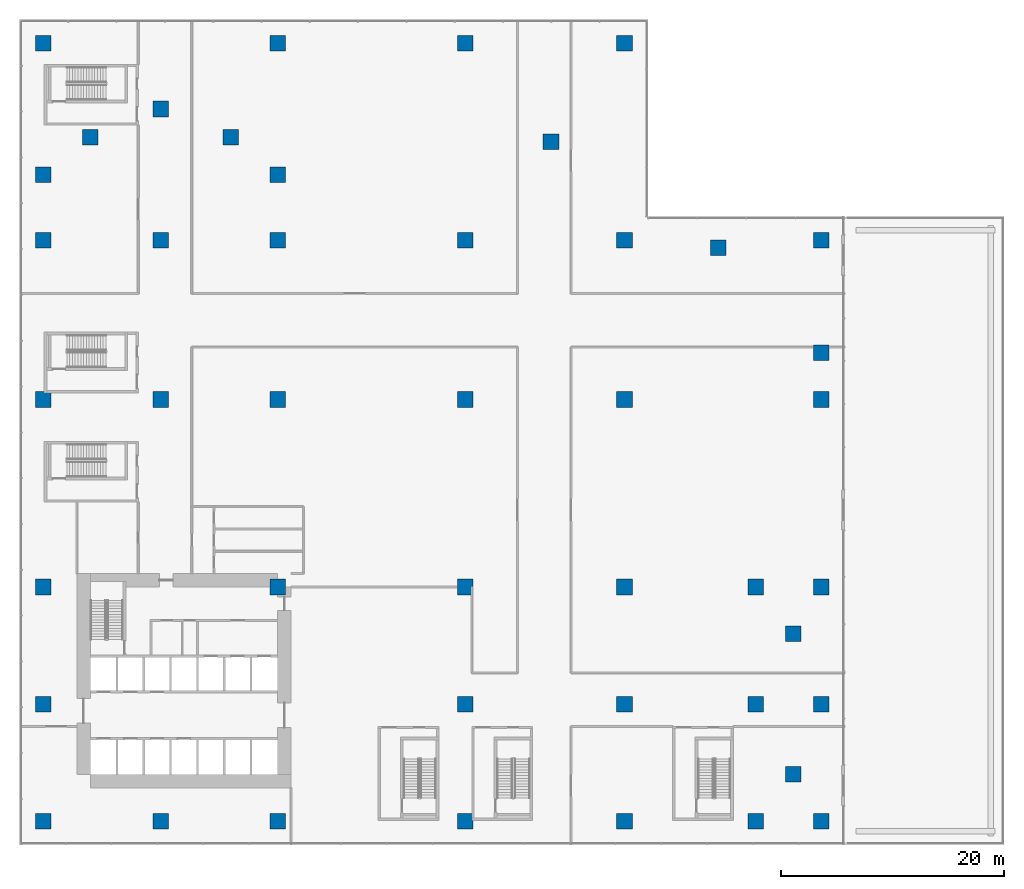
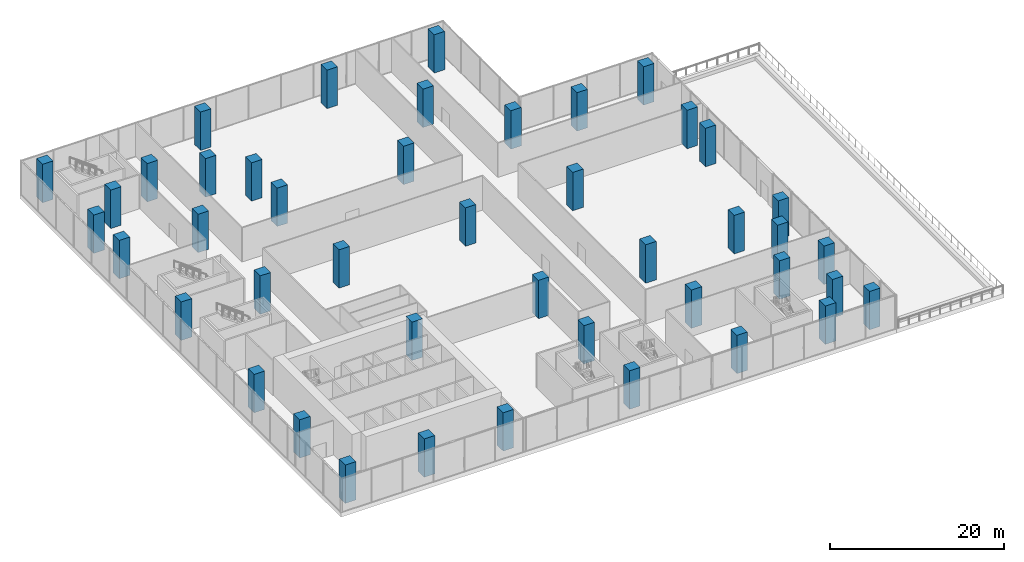
# One storey, part 1 of 23: 44 columns.
"""IFC4 building model written with IfcOpenShell, lengths in metres."""

import ifcopenshell
import ifcopenshell.guid

model = None  # the IFC model being written
_history = None  # IfcOwnerHistory: only IFC2X3 demands one
_inside = {}  # id of a spatial element -> (the spatial element, [elements in it])
_under = {}  # id of a project, library or spatial element -> (it, [spatial elements below it])
_declared = {}  # id of a project -> (the project, [libraries it declares])
_typed = {}  # id of a type object -> (the type object, [elements of that type])
_made_of = {}  # id of a material, layer set ... -> (it, [elements and type objects made of it])


def new_model(schema):
    """Start an empty IFC model of exactly this schema.

    Asked for "IFC4X3", IfcOpenShell would pick the latest addendum, in which some entities
    have other attributes; the version numbers below select the first issue.
    IFC2X3 requires an IfcOwnerHistory on every rooted entity: one is made here for all.
    """
    global model, _history
    if schema == "IFC4X3":
        model = ifcopenshell.file(schema_version=(4, 3, 0, 0))
    else:
        model = ifcopenshell.file(schema=schema)
    _inside.clear()
    _under.clear()
    _declared.clear()
    _typed.clear()
    _made_of.clear()
    _history = None
    if model.schema == "IFC2X3":
        org = make("IfcOrganization", Name="unknown")
        user = make(
            "IfcPersonAndOrganization",
            ThePerson=make("IfcPerson", FamilyName="unknown"),
            TheOrganization=org,
        )
        app = make(
            "IfcApplication",
            ApplicationDeveloper=org,
            Version="unknown",
            ApplicationFullName="unknown",
            ApplicationIdentifier="unknown",
        )
        _history = make(
            "IfcOwnerHistory",
            OwningUser=user,
            OwningApplication=app,
            ChangeAction="ADDED",
            CreationDate=0,
        )
    return model


def make(cls, **values):
    """One entity of the class cls with the attributes given. An attribute that is None is left unset."""
    return model.create_entity(
        cls, **{name: value for name, value in values.items() if value is not None}
    )


def rooted(cls, **values):
    """An entity with a GlobalId (a new one), such as an element, a storey or a relation."""
    return make(cls, GlobalId=ifcopenshell.guid.new(), OwnerHistory=_history, **values)


def si_unit(unit_type, name, prefix=None):
    """IfcSIUnit, for example si_unit("LENGTHUNIT", "METRE", prefix="MILLI")."""
    return make("IfcSIUnit", UnitType=unit_type, Prefix=prefix, Name=name)


def assignment(units):
    """IfcUnitAssignment: the units of a project."""
    return None if units is None else make("IfcUnitAssignment", Units=units)


def point(xyz):
    """IfcCartesianPoint."""
    return None if xyz is None else make("IfcCartesianPoint", Coordinates=xyz)


def direction(xyz):
    """IfcDirection."""
    return None if xyz is None else make("IfcDirection", DirectionRatios=xyz)


def frame(location, z_axis=None, x_axis=None):
    """IfcAxis2Placement3D, a coordinate frame: its origin and axes. An axis left out is left unset."""
    return make(
        "IfcAxis2Placement3D",
        Location=point(location),
        Axis=direction(z_axis),
        RefDirection=direction(x_axis),
    )


def frame_2d(location, x_axis=None):
    """IfcAxis2Placement2D, a coordinate frame in the plane: its origin and x axis."""
    return make(
        "IfcAxis2Placement2D", Location=point(location), RefDirection=direction(x_axis)
    )


def origin():
    """The frame at (0, 0, 0) with its axes left unset."""
    return frame((0.0, 0.0, 0.0))


def origin_2d():
    """The frame at (0, 0) in the plane with its x axis left unset."""
    return frame_2d((0.0, 0.0))


def place(relative_to, where):
    """IfcLocalPlacement: puts the frame where relative to a parent placement (None: the world)."""
    return make(
        "IfcLocalPlacement", PlacementRelTo=relative_to, RelativePlacement=where
    )


def context(
    kind, dimensions, precision=None, world=None, true_north=None, identifier=None
):
    """IfcGeometricRepresentationContext, for example the 3D "Model" context."""
    return make(
        "IfcGeometricRepresentationContext",
        ContextIdentifier=identifier,
        ContextType=kind,
        CoordinateSpaceDimension=dimensions,
        Precision=precision,
        WorldCoordinateSystem=world,
        TrueNorth=true_north,
    )


def subcontext(parent, identifier, kind, view, scale=None):
    """IfcGeometricRepresentationSubContext, for example "Body" below "Model"."""
    return make(
        "IfcGeometricRepresentationSubContext",
        ContextIdentifier=identifier,
        ContextType=kind,
        ParentContext=parent,
        TargetScale=scale,
        TargetView=view,
    )


def project(units=None, contexts=None):
    """IfcProject with its units and contexts."""
    return rooted(
        "IfcProject",
        Name="project",
        RepresentationContexts=contexts,
        UnitsInContext=assignment(units),
    )


def spatial(cls, under=None, at=None, **own):
    """A site, building, storey or space (cls), placed at a placement, below another one or the project."""
    s = rooted(cls, ObjectPlacement=at, **own)
    if under is not None:
        _under.setdefault(under.id(), (under, []))[1].append(s)
    return s


def profile(cls, at=None, kind="AREA", **sizes):
    """A parametric profile (cls). Its sizes go by their IFC names, for example OverallWidth=200.0."""
    return make(cls, ProfileType=kind, Position=at, **sizes)


def rectangle(**sizes):
    """IfcRectangleProfileDef."""
    return profile("IfcRectangleProfileDef", **sizes)


def extrude(swept, where, along, depth):
    """IfcExtrudedAreaSolid: the profile swept, set in the frame where, extruded along a direction by depth."""
    return make(
        "IfcExtrudedAreaSolid",
        SweptArea=swept,
        Position=where,
        ExtrudedDirection=direction(along),
        Depth=depth,
    )


def shape(context_of_items, identifier, shape_type, items):
    """IfcShapeRepresentation: the items that make up one representation, for example the "Body"."""
    return make(
        "IfcShapeRepresentation",
        ContextOfItems=context_of_items,
        RepresentationIdentifier=identifier,
        RepresentationType=shape_type,
        Items=items,
    )


def source(mapping_origin, context_of_items, identifier, shape_type, items):
    """IfcRepresentationMap: a shape defined once, which mapped items show again and again."""
    return make(
        "IfcRepresentationMap",
        MappingOrigin=mapping_origin,
        MappedRepresentation=shape(context_of_items, identifier, shape_type, items),
    )


def transform(
    local_origin,
    x_axis=None,
    y_axis=None,
    z_axis=None,
    scale=None,
    scale2=None,
    scale3=None,
    uniform=True,
):
    """IfcCartesianTransformationOperator3D, or its non-uniform kind. x_axis, y_axis, z_axis: its Axis1, 2, 3."""
    if uniform:
        return make(
            "IfcCartesianTransformationOperator3D",
            Axis1=direction(x_axis),
            Axis2=direction(y_axis),
            LocalOrigin=point(local_origin),
            Scale=scale,
            Axis3=direction(z_axis),
        )
    return make(
        "IfcCartesianTransformationOperator3DnonUniform",
        Axis1=direction(x_axis),
        Axis2=direction(y_axis),
        LocalOrigin=point(local_origin),
        Scale=scale,
        Axis3=direction(z_axis),
        Scale2=scale2,
        Scale3=scale3,
    )


def mapped(mapping_source, mapping_target):
    """IfcMappedItem: shows the shape of a source again, moved by a transform."""
    return make(
        "IfcMappedItem", MappingSource=mapping_source, MappingTarget=mapping_target
    )


def material(Name=None, Category=None):
    """IfcMaterial."""
    return make("IfcMaterial", Name=Name, Category=Category)


def material_profile(
    of_material, cross_section, Name=None, Category=None, Priority=None
):
    """IfcMaterialProfile: a cross section and its material."""
    return make(
        "IfcMaterialProfile",
        Name=Name,
        Material=of_material,
        Profile=cross_section,
        Priority=Priority,
        Category=Category,
    )


def profile_set(profiles, Name=None, composite=None):
    """IfcMaterialProfileSet."""
    return make(
        "IfcMaterialProfileSet",
        Name=Name,
        MaterialProfiles=profiles,
        CompositeProfile=composite,
    )


def made_of(thing, what):
    """Note that an element or type object is made of a material, layer set ...; save() writes the relation."""
    if what is not None:
        _made_of.setdefault(what.id(), (what, []))[1].append(thing)
    return thing


def type_object(cls, material=None, **own):
    """A type object (cls), such as IfcWallType, which elements share."""
    return made_of(rooted(cls, **own), material)


def element(
    cls,
    number,
    at=None,
    inside=None,
    cuts=None,
    type_object=None,
    material=None,
    context=None,
    identifier="Body",
    shape_type=None,
    held_by="IfcProductDefinitionShape",
    body=None,
    shapes=None,
    **own,
):
    """One element of the class cls, such as IfcWall. Its Tag is "e" and its number.

    at: its placement. inside: the storey or other place that contains it. cuts: it is an
    opening in that element (IfcRelVoidsElement). A single representation is given by context,
    identifier, shape_type and body (its items); several are given by shapes. held_by: the class
    of the entity that holds the representations. save() writes the other relations.
    """
    e = rooted(cls, Tag="e%d" % number, ObjectPlacement=at, **own)
    if body is not None:
        shapes = [shape(context, identifier, shape_type, body)]
    if shapes is not None:
        e.Representation = make(held_by, Representations=shapes)
    if inside is not None:
        _inside.setdefault(inside.id(), (inside, []))[1].append(e)
    if cuts is not None:
        rooted(
            "IfcRelVoidsElement", RelatingBuildingElement=cuts, RelatedOpeningElement=e
        )
    if type_object is not None:
        _typed.setdefault(type_object.id(), (type_object, []))[1].append(e)
    return made_of(e, material)


def aggregate(whole, parts):
    """IfcRelAggregates: a whole, such as a stair, and the parts it consists of."""
    return rooted("IfcRelAggregates", RelatingObject=whole, RelatedObjects=parts)


def save(model, path):
    """Write the relations noted so far, then the file.

    IfcRelAggregates (storeys below a building ...), IfcRelContainedInSpatialStructure (elements
    in a storey), IfcRelDefinesByType, IfcRelAssociatesMaterial and IfcRelDeclares: one each for
    every whole, place, type object, material and project.
    """
    for whole, parts in _under.values():
        aggregate(whole, parts)
    for where, things in _inside.values():
        rooted(
            "IfcRelContainedInSpatialStructure",
            RelatedElements=things,
            RelatingStructure=where,
        )
    for kind, things in _typed.values():
        rooted("IfcRelDefinesByType", RelatedObjects=things, RelatingType=kind)
    for what, things in _made_of.values():
        rooted("IfcRelAssociatesMaterial", RelatedObjects=things, RelatingMaterial=what)
    for by, libraries in _declared.values():
        rooted("IfcRelDeclares", RelatingContext=by, RelatedDefinitions=libraries)
    model.write(path)


model = new_model("IFC4")

# Units and contexts
model_context = context("Model", 3, precision=1e-05, world=origin(), true_north=direction((0.0, 1.0)))
body_context = subcontext(model_context, "Body", "Model", "MODEL_VIEW")
ifc_project = project(units=[si_unit("LENGTHUNIT", "METRE"), si_unit("AREAUNIT", "SQUARE_METRE"), si_unit("VOLUMEUNIT", "CUBIC_METRE"), si_unit("PLANEANGLEUNIT", "RADIAN"), si_unit("MASSUNIT", "GRAM", prefix="KILO")], contexts=[model_context])

# Site, building, storey
site_placement = place(None, origin())
site = spatial("IfcSite", under=ifc_project, at=site_placement, CompositionType="ELEMENT")
building_placement = place(site_placement, origin())
building = spatial("IfcBuilding", under=site, at=building_placement, Name="Aurelian Terraces", CompositionType="ELEMENT")
storey_placement = place(building_placement, frame((0.0, 0.0, 18.3)))
storey = spatial("IfcBuildingStorey", under=building, at=storey_placement, Name="L03", CompositionType="ELEMENT", Elevation=18.3)

# Columns
ifc_material = material(Name="Concrete fc' 83 MPa", Category="concrete")
ifc_material_profile = material_profile(ifc_material, rectangle(XDim=1.4, YDim=1.4, at=origin_2d()))
ifc_profile_set = profile_set([ifc_material_profile], Name="Concrete fc' 83 MPa")
column_type = type_object("IfcColumnType", Name="RC COLUMN 1400X1400 FC83", PredefinedType="COLUMN", material=ifc_profile_set)
shared_shape = source(origin(), body_context, "Body", "SweptSolid", [
    extrude(rectangle(XDim=1.4, YDim=1.4, at=origin_2d()), origin(), (0.0, 0.0, 1.0), 5.4),
])
for number, where, z_axis, x_axis, name in (
    (1, (0.0, 0.0, 0.0), (0.0, 0.0, 1.0), (1.0, 0.0, 0.0), "Column 1/A L03"),
    (2, (0.0, 10.5, 0.0), (0.0, 0.0, 1.0), (1.0, 0.0, 0.0), "Column 1/B L03"),
    (3, (0.0, 21.0, 0.0), (0.0, 0.0, 1.0), (1.0, 0.0, 0.0), "Column 1/C L03"),
    (4, (0.0, 37.8, 0.0), (0.0, 0.0, 1.0), (1.0, 0.0, 0.0), "Column 1/E L03"),
    (5, (0.0, 52.08, 0.0), (0.0, 0.0, 1.0), (1.0, 0.0, 0.0), "Column 1/G L03"),
    (6, (0.0, 57.96, 0.0), (0.0, 0.0, 1.0), (1.0, 0.0, 0.0), "Column 1/H L03"),
    (7, (0.0, 69.72, 0.0), (0.0, 0.0, 1.0), (1.0, 0.0, 0.0), "Column 1/J L03"),
    (8, (4.2, 61.32, 0.0), (0.0, 0.0, 1.0), (1.0, 0.0, 0.0), "Column 4.20/61.32 L03"),
    (9, (10.5, 0.0, 0.0), (0.0, 0.0, 1.0), (1.0, 0.0, 0.0), "Column 2/A L03"),
    (10, (10.5, 37.8, 0.0), (0.0, 0.0, 1.0), (1.0, 0.0, 0.0), "Column 2/E L03"),
    (11, (10.5, 52.08, 0.0), (0.0, 0.0, 1.0), (1.0, 0.0, 0.0), "Column 2/G L03"),
    (12, (10.5, 63.84, 0.0), (0.0, 0.0, 1.0), (1.0, 0.0, 0.0), "Column 2/I L03"),
    (13, (16.8, 61.32, 0.0), (0.0, 0.0, 1.0), (1.0, 0.0, 0.0), "Column 16.80/61.32 L03"),
    (14, (21.0, 0.0, 0.0), (0.0, 0.0, 1.0), (1.0, 0.0, 0.0), "Column 3/A L03"),
    (15, (21.0, 21.0, 0.0), (0.0, 0.0, 1.0), (1.0, 0.0, 0.0), "Column 3/C L03"),
    (16, (21.0, 37.8, 0.0), (0.0, 0.0, 1.0), (1.0, 0.0, 0.0), "Column 3/E L03"),
    (17, (21.0, 52.08, 0.0), (0.0, 0.0, 1.0), (1.0, 0.0, 0.0), "Column 3/G L03"),
    (18, (21.0, 57.96, 0.0), (0.0, 0.0, 1.0), (1.0, 0.0, 0.0), "Column 3/H L03"),
    (19, (21.0, 69.72, 0.0), (0.0, 0.0, 1.0), (1.0, 0.0, 0.0), "Column 3/J L03"),
    (20, (37.8, 0.0, 0.0), (0.0, 0.0, 1.0), (1.0, 0.0, 0.0), "Column 5/A L03"),
    (21, (37.8, 10.5, 0.0), (0.0, 0.0, 1.0), (1.0, 0.0, 0.0), "Column 5/B L03"),
    (22, (37.8, 21.0, 0.0), (0.0, 0.0, 1.0), (1.0, 0.0, 0.0), "Column 5/C L03"),
    (23, (37.8, 37.8, 0.0), (0.0, 0.0, 1.0), (1.0, 0.0, 0.0), "Column 5/E L03"),
    (24, (37.8, 52.08, 0.0), (0.0, 0.0, 1.0), (1.0, 0.0, 0.0), "Column 5/G L03"),
    (25, (37.8, 69.72, 0.0), (0.0, 0.0, 1.0), (1.0, 0.0, 0.0), "Column 5/J L03"),
    (26, (45.5, 60.9, 0.0), (0.0, 0.0, 1.0), (1.0, 0.0, 0.0), "Column 45.50/60.90 L03"),
    (27, (52.08, 0.0, 0.0), (0.0, 0.0, 1.0), (1.0, 0.0, 0.0), "Column 7/A L03"),
    (28, (52.08, 10.5, 0.0), (0.0, 0.0, 1.0), (1.0, 0.0, 0.0), "Column 7/B L03"),
    (29, (52.08, 21.0, 0.0), (0.0, 0.0, 1.0), (1.0, 0.0, 0.0), "Column 7/C L03"),
    (30, (52.08, 37.8, 0.0), (0.0, 0.0, 1.0), (1.0, 0.0, 0.0), "Column 7/E L03"),
    (31, (52.08, 52.08, 0.0), (0.0, 0.0, 1.0), (1.0, 0.0, 0.0), "Column 7/G L03"),
    (32, (52.08, 69.72, 0.0), (0.0, 0.0, 1.0), (1.0, 0.0, 0.0), "Column 7/J L03"),
    (33, (60.5, 51.4, 0.0), (0.0, 0.0, 1.0), (1.0, 0.0, 0.0), "Column 60.50/51.40 L03"),
    (34, (63.84, 0.0, 0.0), (0.0, 0.0, 1.0), (1.0, 0.0, 0.0), "Column 9/A L03"),
    (35, (63.84, 10.5, 0.0), (0.0, 0.0, 1.0), (1.0, 0.0, 0.0), "Column 9/B L03"),
    (36, (63.84, 21.0, 0.0), (0.0, 0.0, 1.0), (1.0, 0.0, 0.0), "Column 9/C L03"),
    (37, (67.2, 4.2, 0.0), (0.0, 0.0, 1.0), (1.0, 0.0, 0.0), "Column 67.20/4.20 L03"),
    (38, (67.2, 16.8, 0.0), (0.0, 0.0, 1.0), (1.0, 0.0, 0.0), "Column 67.20/16.80 L03"),
    (39, (69.72, 0.0, 0.0), (0.0, 0.0, 1.0), (1.0, 0.0, 0.0), "Column 10/A L03"),
    (40, (69.72, 10.5, 0.0), (0.0, 0.0, 1.0), (1.0, 0.0, 0.0), "Column 10/B L03"),
    (41, (69.72, 21.0, 0.0), (0.0, 0.0, 1.0), (1.0, 0.0, 0.0), "Column 10/C L03"),
    (42, (69.72, 37.8, 0.0), (0.0, 0.0, 1.0), (1.0, 0.0, 0.0), "Column 10/E L03"),
    (43, (69.72, 42.0, 0.0), (0.0, 0.0, 1.0), (1.0, 0.0, 0.0), "Column 69.72/42.00 L03"),
    (44, (69.72, 52.08, 0.0), (0.0, 0.0, 1.0), (1.0, 0.0, 0.0), "Column 10/G L03"),
):
    element("IfcColumn", number, at=place(storey_placement, frame(where, z_axis=z_axis, x_axis=x_axis)), inside=storey, type_object=column_type, Name=name, PredefinedType="COLUMN", context=body_context, shape_type="MappedRepresentation", body=[
        mapped(shared_shape, transform((0.0, 0.0, 0.0), scale=1.0)),
    ])

save(model, "model.ifc")
